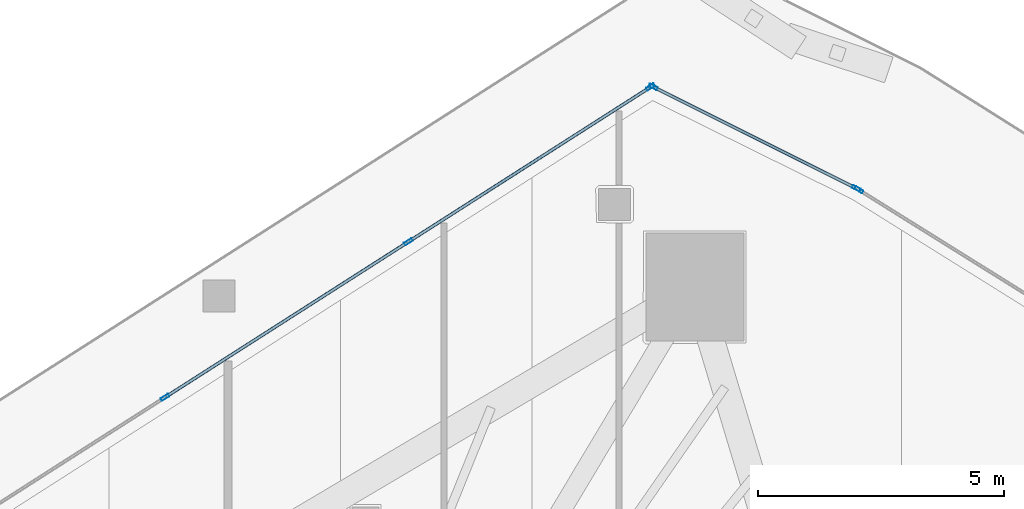
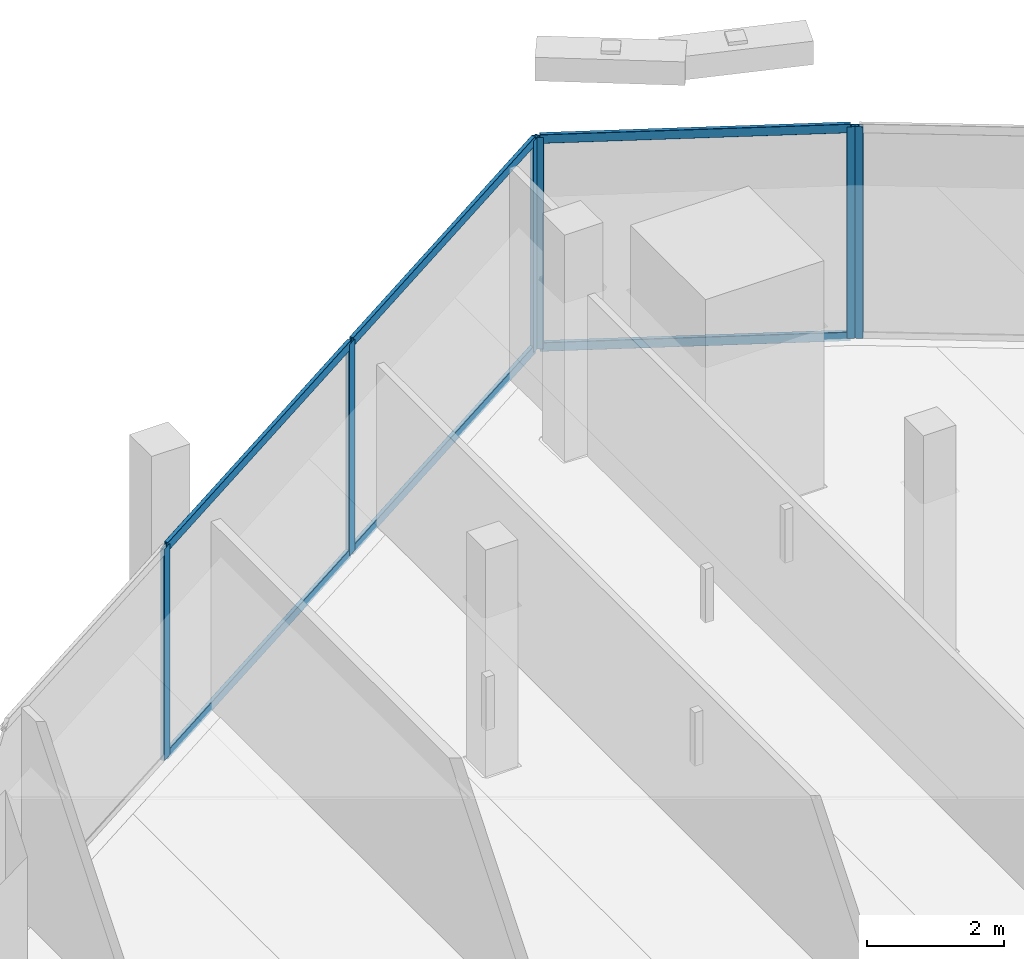
# One storey, part 21 of 39: 12 members, 3 elements without a shape of their own.
"""IFC4 building model written with IfcOpenShell, lengths in metres."""

from ifc_helpers import new_model, si_unit, direction, frame, origin, origin_2d, place, context, subcontext, project, spatial, hollow_rectangle, extrude, material, layer, layer_set, material_profile, profile_set, type_object, element, aggregate, save


model = new_model("IFC4")

# Units and contexts
model_context = context("Model", 3, precision=1e-05, world=origin(), true_north=direction((0.0, 1.0)))
body_context = subcontext(model_context, "Body", "Model", "MODEL_VIEW")
ifc_project = project(units=[si_unit("LENGTHUNIT", "METRE"), si_unit("AREAUNIT", "SQUARE_METRE"), si_unit("VOLUMEUNIT", "CUBIC_METRE"), si_unit("PLANEANGLEUNIT", "RADIAN"), si_unit("MASSUNIT", "GRAM", prefix="KILO")], contexts=[model_context])

# Site, building, storey
site_placement = place(None, origin())
site = spatial("IfcSite", under=ifc_project, at=site_placement, CompositionType="ELEMENT")
building_placement = place(site_placement, origin())
building = spatial("IfcBuilding", under=site, at=building_placement, Name="Qorvath Tower", CompositionType="ELEMENT")
storey_placement = place(building_placement, frame((0.0, 0.0, 162.449951171875)))
storey = spatial("IfcBuildingStorey", under=building, at=storey_placement, Name="L37", CompositionType="ELEMENT", Elevation=162.449951171875)

# Curtain wall, member
ifc_material_1 = material(Name="Anodised aluminium and triple low-E glass", Category="aluminium")
ifc_layer = layer(ifc_material_1, 0.179931640625)
ifc_layer_set = layer_set([ifc_layer], Name="CW-SYS-3")
curtain_wall_type = type_object("IfcCurtainWallType", Name="CW-SYS-3", PredefinedType="NOTDEFINED", material=ifc_layer_set)
curtain_wall_1_placement = place(storey_placement, origin())
curtain_wall_1 = element("IfcCurtainWall", 1, at=curtain_wall_1_placement, inside=storey, type_object=curtain_wall_type, Name="Curtain Wall CW-3 CW-T-L37-14.1", PredefinedType="NOTDEFINED")
ifc_material_2 = material(Name="Anodised aluminium 6063-T6", Category="aluminium")
ifc_material_profile_1 = material_profile(ifc_material_2, hollow_rectangle(XDim=0.06494140625, YDim=0.179931640625, WallThickness=0.00341796875, InnerFilletRadius=0.00341796875, OuterFilletRadius=0.007080078125, at=origin_2d()), Name="CWM 180x65")
ifc_profile_set_1 = profile_set([ifc_material_profile_1], Name="Anodised aluminium 6063-T6")
member_type_1 = type_object("IfcMemberType", Name="CWM-180", PredefinedType="MULLION", material=ifc_profile_set_1)
member_1_placement = place(storey_placement, frame((-12.00341796875, 27.222412109375, 0.0), z_axis=(0.0, 0.0, 1.0), x_axis=(-0.52938420478, -0.848382203803, 0.0)))
member_1 = element("IfcMember", 2, at=member_1_placement, type_object=member_type_1, Name="CW-3 mullion 3", PredefinedType="MULLION", context=body_context, shape_type="SweptSolid", body=[
    extrude(hollow_rectangle(XDim=0.06494140625, YDim=0.179931640625, WallThickness=0.00341796875, InnerFilletRadius=0.00341796875, OuterFilletRadius=0.007080078125, at=origin_2d()), origin(), (0.0, 0.0, 1.0), 3.780029296875),
])
aggregate(curtain_wall_1, [member_1])

# Curtain wall, members
curtain_wall_2_placement = place(storey_placement, origin())
curtain_wall_2 = element("IfcCurtainWall", 3, at=curtain_wall_2_placement, inside=storey, type_object=curtain_wall_type, Name="Curtain Wall CW-3 CW-T-L37-15.1", PredefinedType="NOTDEFINED")
member_2_placement = place(storey_placement, frame((-12.06005859375, 27.254150390625, 0.0), z_axis=(0.0, 0.0, 1.0), x_axis=(-0.447187983169, -0.894439996707, 0.0)))
member_2 = element("IfcMember", 4, at=member_2_placement, type_object=member_type_1, Name="CW-3 mullion 1", PredefinedType="MULLION", context=body_context, shape_type="SweptSolid", body=[
    extrude(hollow_rectangle(XDim=0.06494140625, YDim=0.179931640625, WallThickness=0.00341796875, InnerFilletRadius=0.00341796875, OuterFilletRadius=0.007080078125, at=origin_2d()), origin(), (0.0, 0.0, 1.0), 3.780029296875),
])
member_3_placement = place(storey_placement, frame((-16.192626953125, 29.320068359375, 0.0), z_axis=(0.0, 0.0, 1.0), x_axis=(-0.447187983169, -0.894439996707, 0.0)))
member_3 = element("IfcMember", 5, at=member_3_placement, type_object=member_type_1, Name="CW-3 mullion 2", PredefinedType="MULLION", context=body_context, shape_type="SweptSolid", body=[
    extrude(hollow_rectangle(XDim=0.06494140625, YDim=0.179931640625, WallThickness=0.00341796875, InnerFilletRadius=0.00341796875, OuterFilletRadius=0.007080078125, at=origin_2d()), origin(), (0.0, 0.0, 1.0), 3.780029296875),
])

curtain_wall_3_placement = place(storey_placement, origin())
curtain_wall_3 = element("IfcCurtainWall", 6, at=curtain_wall_3_placement, inside=storey, type_object=curtain_wall_type, Name="Curtain Wall CW-3 CW-T-L37-16.1", PredefinedType="NOTDEFINED")
member_4_placement = place(storey_placement, frame((-16.2490234375, 29.317138671875, 0.0), z_axis=(0.0, 0.0, 1.0), x_axis=(0.53853971351, -0.842600128752, 0.0)))
member_4 = element("IfcMember", 7, at=member_4_placement, type_object=member_type_1, Name="CW-3 mullion 1", PredefinedType="MULLION", context=body_context, shape_type="SweptSolid", body=[
    extrude(hollow_rectangle(XDim=0.06494140625, YDim=0.179931640625, WallThickness=0.00341796875, InnerFilletRadius=0.00341796875, OuterFilletRadius=0.007080078125, at=origin_2d()), origin(), (0.0, 0.0, 1.0), 3.780029296875),
])
member_5_placement = place(storey_placement, frame((-21.178466796875, 26.16650390625, 0.0), z_axis=(0.0, 0.0, 1.0), x_axis=(0.53853971351, -0.842600128752, 0.0)))
member_5 = element("IfcMember", 8, at=member_5_placement, type_object=member_type_1, Name="CW-3 mullion 2", PredefinedType="MULLION", context=body_context, shape_type="SweptSolid", body=[
    extrude(hollow_rectangle(XDim=0.06494140625, YDim=0.179931640625, WallThickness=0.00341796875, InnerFilletRadius=0.00341796875, OuterFilletRadius=0.007080078125, at=origin_2d()), origin(), (0.0, 0.0, 1.0), 3.780029296875),
])
member_6_placement = place(storey_placement, frame((-26.135498046875, 22.99853515625, 0.0), z_axis=(0.0, 0.0, 1.0), x_axis=(0.53853971351, -0.842600128752, 0.0)))
member_6 = element("IfcMember", 9, at=member_6_placement, type_object=member_type_1, Name="CW-3 mullion 3", PredefinedType="MULLION", context=body_context, shape_type="SweptSolid", body=[
    extrude(hollow_rectangle(XDim=0.06494140625, YDim=0.179931640625, WallThickness=0.00341796875, InnerFilletRadius=0.00341796875, OuterFilletRadius=0.007080078125, at=origin_2d()), origin(), (0.0, 0.0, 1.0), 3.780029296875),
])

# Member
ifc_material_3 = material(Name="Anodised aluminium 6063-T6", Category="aluminium")
ifc_material_profile_2 = material_profile(ifc_material_3, hollow_rectangle(XDim=0.06494140625, YDim=0.159912109375, WallThickness=0.00341796875, InnerFilletRadius=0.00341796875, OuterFilletRadius=0.007080078125, at=origin_2d()), Name="CWT 160x65")
ifc_profile_set_2 = profile_set([ifc_material_profile_2], Name="Anodised aluminium 6063-T6")
member_type_2 = type_object("IfcMemberType", Name="CWT-160", PredefinedType="USERDEFINED", material=ifc_profile_set_2)
member_7_placement = place(storey_placement, frame((-12.089111328125, 27.2685546875, 0.032470703125), z_axis=(-0.894437909635, 0.447192157588, 0.0), x_axis=(-0.447192157588, -0.894437909635, 0.0)))
member_7 = element("IfcMember", 10, at=member_7_placement, type_object=member_type_2, Name="CW-3 transom 1.1", ObjectType="TRANSOM", PredefinedType="USERDEFINED", context=body_context, shape_type="SweptSolid", body=[
    extrude(hollow_rectangle(XDim=0.06494140625, YDim=0.159912109375, WallThickness=0.00341796875, InnerFilletRadius=0.00341796875, OuterFilletRadius=0.007080078125, at=origin_2d()), origin(), (0.0, 0.0, 1.0), 4.555419921875),
])

member_8_placement = place(storey_placement, frame((-12.089111328125, 27.2685546875, 3.74755859375), z_axis=(-0.894437909635, 0.447192157588, 0.0), x_axis=(-0.447192157588, -0.894437909635, 0.0)))
member_8 = element("IfcMember", 11, at=member_8_placement, type_object=member_type_2, Name="CW-3 transom 1.2", ObjectType="TRANSOM", PredefinedType="USERDEFINED", context=body_context, shape_type="SweptSolid", body=[
    extrude(hollow_rectangle(XDim=0.06494140625, YDim=0.159912109375, WallThickness=0.00341796875, InnerFilletRadius=0.00341796875, OuterFilletRadius=0.007080078125, at=origin_2d()), origin(), (0.0, 0.0, 1.0), 4.555419921875),
])

aggregate(curtain_wall_2, [member_2, member_3, member_7, member_8])

member_9_placement = place(storey_placement, frame((-16.2763671875, 29.2998046875, 0.032470703125), z_axis=(-0.842594665746, -0.538548260843, 0.0), x_axis=(0.538548260843, -0.842594665746, 0.0)))
member_9 = element("IfcMember", 12, at=member_9_placement, type_object=member_type_2, Name="CW-3 transom 1.1", ObjectType="TRANSOM", PredefinedType="USERDEFINED", context=body_context, shape_type="SweptSolid", body=[
    extrude(hollow_rectangle(XDim=0.06494140625, YDim=0.159912109375, WallThickness=0.00341796875, InnerFilletRadius=0.00341796875, OuterFilletRadius=0.007080078125, at=origin_2d()), origin(), (0.0, 0.0, 1.0), 5.785400390625),
])

member_10_placement = place(storey_placement, frame((-16.2763671875, 29.2998046875, 3.74755859375), z_axis=(-0.842594665746, -0.538548260843, 0.0), x_axis=(0.538548260843, -0.842594665746, 0.0)))
member_10 = element("IfcMember", 13, at=member_10_placement, type_object=member_type_2, Name="CW-3 transom 1.2", ObjectType="TRANSOM", PredefinedType="USERDEFINED", context=body_context, shape_type="SweptSolid", body=[
    extrude(hollow_rectangle(XDim=0.06494140625, YDim=0.159912109375, WallThickness=0.00341796875, InnerFilletRadius=0.00341796875, OuterFilletRadius=0.007080078125, at=origin_2d()), origin(), (0.0, 0.0, 1.0), 5.785400390625),
])

member_11_placement = place(storey_placement, frame((-21.2060546875, 26.149169921875, 0.032470703125), z_axis=(-0.842586769178, -0.538560615351, 0.0), x_axis=(0.538560615351, -0.842586769178, 0.0)))
member_11 = element("IfcMember", 14, at=member_11_placement, type_object=member_type_2, Name="CW-3 transom 2.1", ObjectType="TRANSOM", PredefinedType="USERDEFINED", context=body_context, shape_type="SweptSolid", body=[
    extrude(hollow_rectangle(XDim=0.06494140625, YDim=0.159912109375, WallThickness=0.00341796875, InnerFilletRadius=0.00341796875, OuterFilletRadius=0.007080078125, at=origin_2d()), origin(), (0.0, 0.0, 1.0), 5.81787109375),
])

member_12_placement = place(storey_placement, frame((-21.2060546875, 26.149169921875, 3.74755859375), z_axis=(-0.842586769178, -0.538560615351, 0.0), x_axis=(0.538560615351, -0.842586769178, 0.0)))
member_12 = element("IfcMember", 15, at=member_12_placement, type_object=member_type_2, Name="CW-3 transom 2.2", ObjectType="TRANSOM", PredefinedType="USERDEFINED", context=body_context, shape_type="SweptSolid", body=[
    extrude(hollow_rectangle(XDim=0.06494140625, YDim=0.159912109375, WallThickness=0.00341796875, InnerFilletRadius=0.00341796875, OuterFilletRadius=0.007080078125, at=origin_2d()), origin(), (0.0, 0.0, 1.0), 5.81787109375),
])

aggregate(curtain_wall_3, [member_4, member_5, member_6, member_9, member_10, member_11, member_12])

save(model, "model.ifc")
